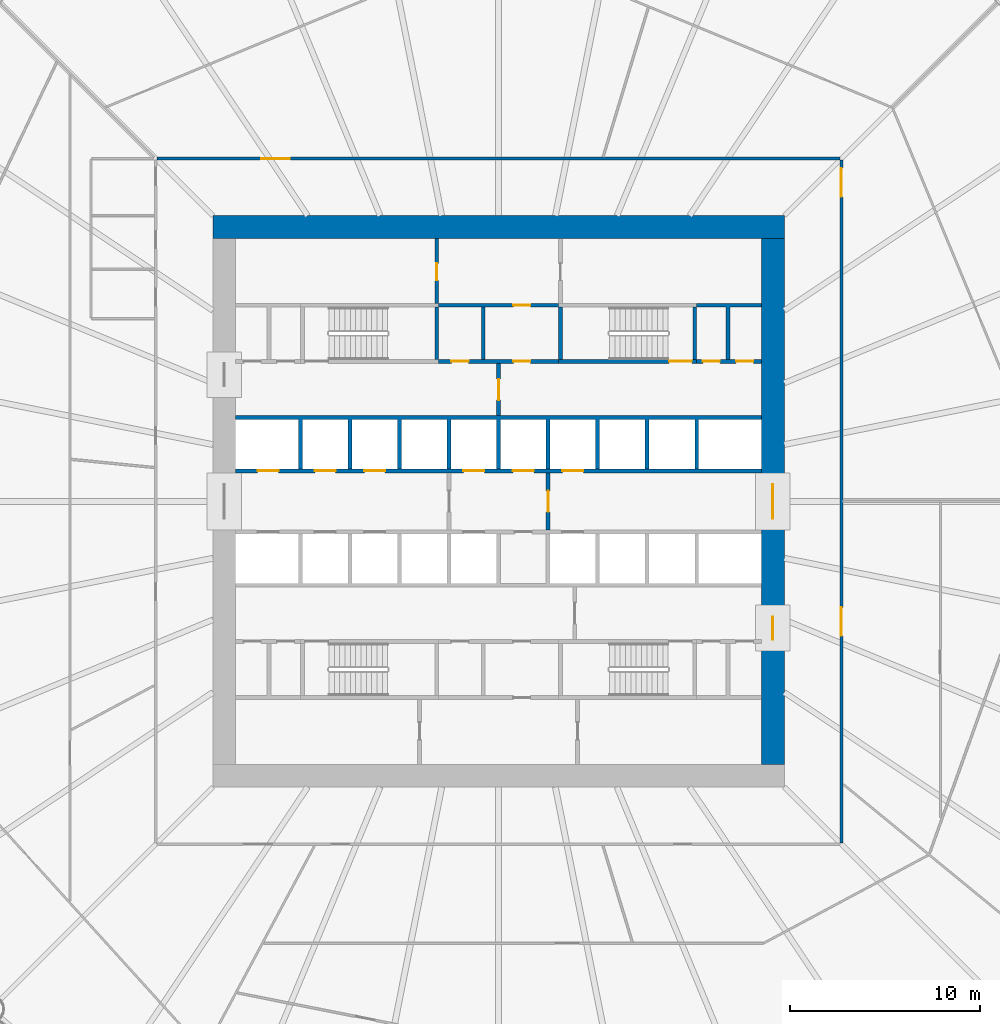
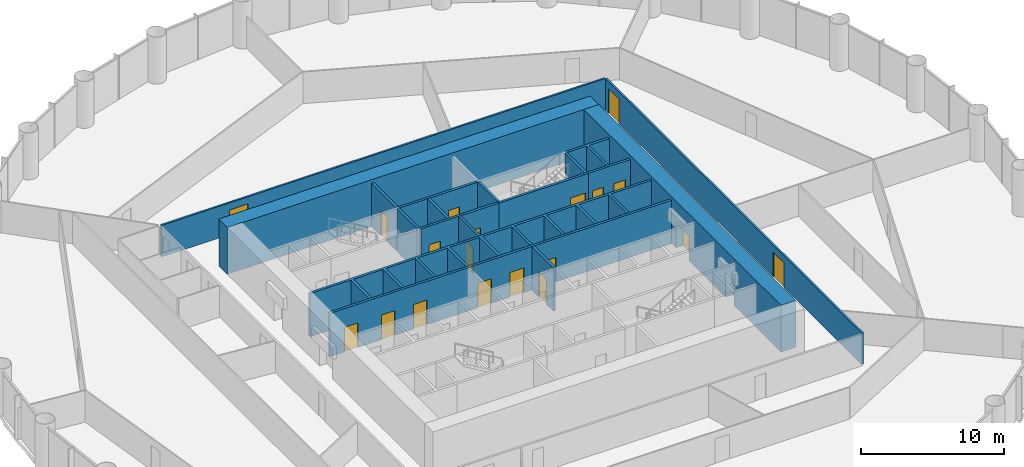
# One storey, part 13 of 15: 20 doors, 18 walls, 20 openings.
"""IFC4 building model written with IfcOpenShell, lengths in metres."""

import ifcopenshell
import ifcopenshell.guid

model = None  # the IFC model being written
_history = None  # IfcOwnerHistory: only IFC2X3 demands one
_inside = {}  # id of a spatial element -> (the spatial element, [elements in it])
_under = {}  # id of a project, library or spatial element -> (it, [spatial elements below it])
_declared = {}  # id of a project -> (the project, [libraries it declares])
_typed = {}  # id of a type object -> (the type object, [elements of that type])
_made_of = {}  # id of a material, layer set ... -> (it, [elements and type objects made of it])


def new_model(schema):
    """Start an empty IFC model of exactly this schema.

    Asked for "IFC4X3", IfcOpenShell would pick the latest addendum, in which some entities
    have other attributes; the version numbers below select the first issue.
    IFC2X3 requires an IfcOwnerHistory on every rooted entity: one is made here for all.
    """
    global model, _history
    if schema == "IFC4X3":
        model = ifcopenshell.file(schema_version=(4, 3, 0, 0))
    else:
        model = ifcopenshell.file(schema=schema)
    _inside.clear()
    _under.clear()
    _declared.clear()
    _typed.clear()
    _made_of.clear()
    _history = None
    if model.schema == "IFC2X3":
        org = make("IfcOrganization", Name="unknown")
        user = make(
            "IfcPersonAndOrganization",
            ThePerson=make("IfcPerson", FamilyName="unknown"),
            TheOrganization=org,
        )
        app = make(
            "IfcApplication",
            ApplicationDeveloper=org,
            Version="unknown",
            ApplicationFullName="unknown",
            ApplicationIdentifier="unknown",
        )
        _history = make(
            "IfcOwnerHistory",
            OwningUser=user,
            OwningApplication=app,
            ChangeAction="ADDED",
            CreationDate=0,
        )
    return model


def make(cls, **values):
    """One entity of the class cls with the attributes given. An attribute that is None is left unset."""
    return model.create_entity(
        cls, **{name: value for name, value in values.items() if value is not None}
    )


def rooted(cls, **values):
    """An entity with a GlobalId (a new one), such as an element, a storey or a relation."""
    return make(cls, GlobalId=ifcopenshell.guid.new(), OwnerHistory=_history, **values)


def si_unit(unit_type, name, prefix=None):
    """IfcSIUnit, for example si_unit("LENGTHUNIT", "METRE", prefix="MILLI")."""
    return make("IfcSIUnit", UnitType=unit_type, Prefix=prefix, Name=name)


def assignment(units):
    """IfcUnitAssignment: the units of a project."""
    return None if units is None else make("IfcUnitAssignment", Units=units)


def point(xyz):
    """IfcCartesianPoint."""
    return None if xyz is None else make("IfcCartesianPoint", Coordinates=xyz)


def direction(xyz):
    """IfcDirection."""
    return None if xyz is None else make("IfcDirection", DirectionRatios=xyz)


def frame(location, z_axis=None, x_axis=None):
    """IfcAxis2Placement3D, a coordinate frame: its origin and axes. An axis left out is left unset."""
    return make(
        "IfcAxis2Placement3D",
        Location=point(location),
        Axis=direction(z_axis),
        RefDirection=direction(x_axis),
    )


def frame_2d(location, x_axis=None):
    """IfcAxis2Placement2D, a coordinate frame in the plane: its origin and x axis."""
    return make(
        "IfcAxis2Placement2D", Location=point(location), RefDirection=direction(x_axis)
    )


def origin():
    """The frame at (0, 0, 0) with its axes left unset."""
    return frame((0.0, 0.0, 0.0))


def place(relative_to, where):
    """IfcLocalPlacement: puts the frame where relative to a parent placement (None: the world)."""
    return make(
        "IfcLocalPlacement", PlacementRelTo=relative_to, RelativePlacement=where
    )


def context(
    kind, dimensions, precision=None, world=None, true_north=None, identifier=None
):
    """IfcGeometricRepresentationContext, for example the 3D "Model" context."""
    return make(
        "IfcGeometricRepresentationContext",
        ContextIdentifier=identifier,
        ContextType=kind,
        CoordinateSpaceDimension=dimensions,
        Precision=precision,
        WorldCoordinateSystem=world,
        TrueNorth=true_north,
    )


def subcontext(parent, identifier, kind, view, scale=None):
    """IfcGeometricRepresentationSubContext, for example "Body" below "Model"."""
    return make(
        "IfcGeometricRepresentationSubContext",
        ContextIdentifier=identifier,
        ContextType=kind,
        ParentContext=parent,
        TargetScale=scale,
        TargetView=view,
    )


def project(units=None, contexts=None):
    """IfcProject with its units and contexts."""
    return rooted(
        "IfcProject",
        Name="project",
        RepresentationContexts=contexts,
        UnitsInContext=assignment(units),
    )


def spatial(cls, under=None, at=None, **own):
    """A site, building, storey or space (cls), placed at a placement, below another one or the project."""
    s = rooted(cls, ObjectPlacement=at, **own)
    if under is not None:
        _under.setdefault(under.id(), (under, []))[1].append(s)
    return s


def polyline(points):
    """IfcPolyline through the points."""
    return make("IfcPolyline", Points=[point(p) for p in points])


def profile(cls, at=None, kind="AREA", **sizes):
    """A parametric profile (cls). Its sizes go by their IFC names, for example OverallWidth=200.0."""
    return make(cls, ProfileType=kind, Position=at, **sizes)


def rectangle(**sizes):
    """IfcRectangleProfileDef."""
    return profile("IfcRectangleProfileDef", **sizes)


def outline(outer, holes=None, kind="AREA"):
    """IfcArbitraryClosedProfileDef: a profile drawn as a closed curve; with holes, ...WithVoids."""
    if holes is None:
        return make("IfcArbitraryClosedProfileDef", ProfileType=kind, OuterCurve=outer)
    return make(
        "IfcArbitraryProfileDefWithVoids",
        ProfileType=kind,
        OuterCurve=outer,
        InnerCurves=holes,
    )


def extrude(swept, where, along, depth):
    """IfcExtrudedAreaSolid: the profile swept, set in the frame where, extruded along a direction by depth."""
    return make(
        "IfcExtrudedAreaSolid",
        SweptArea=swept,
        Position=where,
        ExtrudedDirection=direction(along),
        Depth=depth,
    )


def shape(context_of_items, identifier, shape_type, items):
    """IfcShapeRepresentation: the items that make up one representation, for example the "Body"."""
    return make(
        "IfcShapeRepresentation",
        ContextOfItems=context_of_items,
        RepresentationIdentifier=identifier,
        RepresentationType=shape_type,
        Items=items,
    )


def material(Name=None, Category=None):
    """IfcMaterial."""
    return make("IfcMaterial", Name=Name, Category=Category)


def layer(
    of_material, thickness, ventilated=None, Name=None, Category=None, Priority=None
):
    """IfcMaterialLayer: one layer of a wall or slab, of a material (None: an air gap)."""
    return make(
        "IfcMaterialLayer",
        Material=of_material,
        LayerThickness=thickness,
        IsVentilated=ventilated,
        Name=Name,
        Category=Category,
        Priority=Priority,
    )


def layer_set(layers, Name=None):
    """IfcMaterialLayerSet."""
    return make("IfcMaterialLayerSet", MaterialLayers=layers, LayerSetName=Name)


def made_of(thing, what):
    """Note that an element or type object is made of a material, layer set ...; save() writes the relation."""
    if what is not None:
        _made_of.setdefault(what.id(), (what, []))[1].append(thing)
    return thing


def type_object(cls, material=None, **own):
    """A type object (cls), such as IfcWallType, which elements share."""
    return made_of(rooted(cls, **own), material)


def element(
    cls,
    number,
    at=None,
    inside=None,
    cuts=None,
    type_object=None,
    material=None,
    context=None,
    identifier="Body",
    shape_type=None,
    held_by="IfcProductDefinitionShape",
    body=None,
    shapes=None,
    **own,
):
    """One element of the class cls, such as IfcWall. Its Tag is "e" and its number.

    at: its placement. inside: the storey or other place that contains it. cuts: it is an
    opening in that element (IfcRelVoidsElement). A single representation is given by context,
    identifier, shape_type and body (its items); several are given by shapes. held_by: the class
    of the entity that holds the representations. save() writes the other relations.
    """
    e = rooted(cls, Tag="e%d" % number, ObjectPlacement=at, **own)
    if body is not None:
        shapes = [shape(context, identifier, shape_type, body)]
    if shapes is not None:
        e.Representation = make(held_by, Representations=shapes)
    if inside is not None:
        _inside.setdefault(inside.id(), (inside, []))[1].append(e)
    if cuts is not None:
        rooted(
            "IfcRelVoidsElement", RelatingBuildingElement=cuts, RelatedOpeningElement=e
        )
    if type_object is not None:
        _typed.setdefault(type_object.id(), (type_object, []))[1].append(e)
    return made_of(e, material)


def fill(opening, filler):
    """IfcRelFillsElement: the door or window that sits in an opening."""
    return rooted(
        "IfcRelFillsElement",
        RelatingOpeningElement=opening,
        RelatedBuildingElement=filler,
    )


def aggregate(whole, parts):
    """IfcRelAggregates: a whole, such as a stair, and the parts it consists of."""
    return rooted("IfcRelAggregates", RelatingObject=whole, RelatedObjects=parts)


def save(model, path):
    """Write the relations noted so far, then the file.

    IfcRelAggregates (storeys below a building ...), IfcRelContainedInSpatialStructure (elements
    in a storey), IfcRelDefinesByType, IfcRelAssociatesMaterial and IfcRelDeclares: one each for
    every whole, place, type object, material and project.
    """
    for whole, parts in _under.values():
        aggregate(whole, parts)
    for where, things in _inside.values():
        rooted(
            "IfcRelContainedInSpatialStructure",
            RelatedElements=things,
            RelatingStructure=where,
        )
    for kind, things in _typed.values():
        rooted("IfcRelDefinesByType", RelatedObjects=things, RelatingType=kind)
    for what, things in _made_of.values():
        rooted("IfcRelAssociatesMaterial", RelatedObjects=things, RelatingMaterial=what)
    for by, libraries in _declared.values():
        rooted("IfcRelDeclares", RelatingContext=by, RelatedDefinitions=libraries)
    model.write(path)


model = new_model("IFC4")

# Units and contexts
model_context = context("Model", 3, precision=1e-05, world=origin(), true_north=direction((0.0, 1.0)))
body_context = subcontext(model_context, "Body", "Model", "MODEL_VIEW")
ifc_project = project(units=[si_unit("LENGTHUNIT", "METRE"), si_unit("AREAUNIT", "SQUARE_METRE"), si_unit("VOLUMEUNIT", "CUBIC_METRE"), si_unit("PLANEANGLEUNIT", "RADIAN"), si_unit("MASSUNIT", "GRAM", prefix="KILO")], contexts=[model_context])

# Site, building, storey
site_placement = place(None, origin())
site = spatial("IfcSite", under=ifc_project, at=site_placement, CompositionType="ELEMENT")
building_placement = place(site_placement, origin())
building = spatial("IfcBuilding", under=site, at=building_placement, Name="Corvane Civic Tower", CompositionType="ELEMENT")
storey_placement = place(building_placement, frame((0.0, 0.0, 57.0)))
storey = spatial("IfcBuildingStorey", under=building, at=storey_placement, Name="L12", CompositionType="ELEMENT", Elevation=57.0)

# Wall
ifc_material_1 = material(Name="Concrete C80/95", Category="concrete")
ifc_layer_1 = layer(ifc_material_1, 1.199951171875)
ifc_layer_set_1 = layer_set([ifc_layer_1], Name="Concrete C80/95")
wall_type_1 = type_object("IfcWallType", Name="CORE WALL 1200 C80/95", PredefinedType="SHEAR", material=ifc_layer_set_1)
wall_1_placement = place(storey_placement, frame((-15.0, 14.39990234375, 0.0), z_axis=(0.0, 0.0, 1.0), x_axis=(1.0, 0.0, 0.0)))
element("IfcWall", 1, at=wall_1_placement, inside=storey, type_object=wall_type_1, Name="W-L12-core-N", PredefinedType="SHEAR", context=body_context, shape_type="SweptSolid", body=[
    extrude(rectangle(XDim=30.0, YDim=1.199951171875, at=frame_2d((15.0, 0.0))), origin(), (0.0, 0.0, 1.0), 4.0),
])

# Wall, openings, doors
wall_2_placement = place(storey_placement, frame((14.39990234375, -13.800048828125, 0.0), z_axis=(0.0, 0.0, 1.0), x_axis=(0.0, 1.0, 0.0)))
wall_2 = element("IfcWall", 2, at=wall_2_placement, inside=storey, type_object=wall_type_1, Name="W-L12-core-E", PredefinedType="SHEAR", context=body_context, shape_type="SweptSolid", body=[
    extrude(rectangle(XDim=27.60009765625, YDim=1.199951171875, at=frame_2d((13.800048828125, 0.0))), origin(), (0.0, 0.0, 1.0), 4.0),
])
opening_1_placement = place(wall_2_placement, frame((12.89990234375, 0.0, 0.0)))
opening_1 = element("IfcOpeningElement", 3, at=opening_1_placement, cuts=wall_2, Name="Opening L12.C29", PredefinedType="OPENING", context=body_context, shape_type="SweptSolid", body=[
    extrude(rectangle(XDim=1.800048828125, YDim=2.10009765625, at=frame_2d((0.89990234375, 1.050048828125))), frame((0.0, 0.60986328125, 0.0), z_axis=(0.0, -1.0, 0.0), x_axis=(1.0, 0.0, 0.0)), (0.0, 0.0, 1.0), 1.219970703125),
])
opening_2_placement = place(wall_2_placement, frame((6.550048828125, 0.0, 0.0)))
opening_2 = element("IfcOpeningElement", 4, at=opening_2_placement, cuts=wall_2, Name="Opening L12.C31", PredefinedType="OPENING", context=body_context, shape_type="SweptSolid", body=[
    extrude(rectangle(XDim=1.199951171875, YDim=2.10009765625, at=frame_2d((0.60009765625, 1.050048828125))), frame((0.0, 0.60986328125, 0.0), z_axis=(0.0, -1.0, 0.0), x_axis=(1.0, 0.0, 0.0)), (0.0, 0.0, 1.0), 1.219970703125),
])
ifc_material_2 = material(Name="Steel fire door leaf", Category="steel")
door_type_1 = type_object("IfcDoorType", Name="CR-DOOR-CORE-1800", OperationType="DOUBLE_DOOR_SINGLE_SWING", PredefinedType="DOOR", material=ifc_material_2)
door_1_placement = place(opening_1_placement, origin())
door_1 = element("IfcDoor", 5, at=door_1_placement, inside=storey, type_object=door_type_1, Name="L12 door", OperationType="DOUBLE_DOOR_SINGLE_SWING", OverallHeight=2.10009765625, OverallWidth=1.800048828125, PredefinedType="DOOR", context=body_context, shape_type="SweptSolid", body=[
    extrude(rectangle(XDim=1.800048828125, YDim=2.10009765625, at=frame_2d((0.89990234375, 1.050048828125))), frame((0.0, 0.02490234375, 0.0), z_axis=(0.0, -1.0, 0.0), x_axis=(1.0, 0.0, 0.0)), (0.0, 0.0, 1.0), 0.050048828125),
])
fill(opening_1, door_1)
door_2_placement = place(opening_2_placement, origin())
door_2 = element("IfcDoor", 6, at=door_2_placement, inside=storey, type_object=door_type_1, Name="L12 door", OperationType="DOUBLE_DOOR_SINGLE_SWING", OverallHeight=2.10009765625, OverallWidth=1.199951171875, PredefinedType="DOOR", context=body_context, shape_type="SweptSolid", body=[
    extrude(rectangle(XDim=1.199951171875, YDim=2.10009765625, at=frame_2d((0.60009765625, 1.050048828125))), frame((0.0, 0.02490234375, 0.0), z_axis=(0.0, -1.0, 0.0), x_axis=(1.0, 0.0, 0.0)), (0.0, 0.0, 1.0), 0.050048828125),
])
fill(opening_2, door_2)

ifc_material_3 = material(Name="Concrete C30/37", Category="concrete")
ifc_layer_2 = layer(ifc_material_3, 0.199951171875)
ifc_layer_set_2 = layer_set([ifc_layer_2], Name="Concrete C30/37")
wall_type_2 = type_object("IfcWallType", Name="CR-WALL-200", PredefinedType="PARTITIONING", material=ifc_layer_set_2)
wall_3_placement = place(storey_placement, frame((-13.800048828125, 1.60009765625, 0.0), z_axis=(0.0, 0.0, 1.0), x_axis=(1.0, 0.0, 0.0)))
wall_3 = element("IfcWall", 7, at=wall_3_placement, inside=storey, type_object=wall_type_2, Name="L12 lift shaft wall", PredefinedType="PARTITIONING", context=body_context, shape_type="SweptSolid", body=[
    extrude(rectangle(XDim=27.60009765625, YDim=0.199951171875, at=frame_2d((13.800048828125, 0.0))), origin(), (0.0, 0.0, 1.0), 3.699951171875),
])
opening_3_placement = place(wall_3_placement, frame((1.14990234375, 0.0, 0.0)))
opening_3 = element("IfcOpeningElement", 8, at=opening_3_placement, cuts=wall_3, Name="Opening LD", PredefinedType="OPENING", context=body_context, shape_type="SweptSolid", body=[
    extrude(rectangle(XDim=1.10009765625, YDim=2.10009765625, at=frame_2d((0.550048828125, 1.050048828125))), frame((0.0, 0.10986328125, 0.0), z_axis=(0.0, -1.0, 0.0), x_axis=(1.0, 0.0, 0.0)), (0.0, 0.0, 1.0), 0.219970703125),
])
opening_4_placement = place(wall_3_placement, frame((4.14990234375, 0.0, 0.0)))
opening_4 = element("IfcOpeningElement", 9, at=opening_4_placement, cuts=wall_3, Name="Opening LD", PredefinedType="OPENING", context=body_context, shape_type="SweptSolid", body=[
    extrude(rectangle(XDim=1.10009765625, YDim=2.10009765625, at=frame_2d((0.550048828125, 1.050048828125))), frame((0.0, 0.10986328125, 0.0), z_axis=(0.0, -1.0, 0.0), x_axis=(1.0, 0.0, 0.0)), (0.0, 0.0, 1.0), 0.219970703125),
])
opening_5_placement = place(wall_3_placement, frame((6.75, 0.0, 0.0)))
opening_5 = element("IfcOpeningElement", 10, at=opening_5_placement, cuts=wall_3, Name="Opening LD", PredefinedType="OPENING", context=body_context, shape_type="SweptSolid", body=[
    extrude(rectangle(XDim=1.10009765625, YDim=2.10009765625, at=frame_2d((0.550048828125, 1.050048828125))), frame((0.0, 0.10986328125, 0.0), z_axis=(0.0, -1.0, 0.0), x_axis=(1.0, 0.0, 0.0)), (0.0, 0.0, 1.0), 0.219970703125),
])
opening_6_placement = place(wall_3_placement, frame((11.949951171875, 0.0, 0.0)))
opening_6 = element("IfcOpeningElement", 11, at=opening_6_placement, cuts=wall_3, Name="Opening LD", PredefinedType="OPENING", context=body_context, shape_type="SweptSolid", body=[
    extrude(rectangle(XDim=1.10009765625, YDim=2.10009765625, at=frame_2d((0.550048828125, 1.050048828125))), frame((0.0, 0.10986328125, 0.0), z_axis=(0.0, -1.0, 0.0), x_axis=(1.0, 0.0, 0.0)), (0.0, 0.0, 1.0), 0.219970703125),
])
opening_7_placement = place(wall_3_placement, frame((14.550048828125, 0.0, 0.0)))
opening_7 = element("IfcOpeningElement", 12, at=opening_7_placement, cuts=wall_3, Name="Opening LD", PredefinedType="OPENING", context=body_context, shape_type="SweptSolid", body=[
    extrude(rectangle(XDim=1.10009765625, YDim=2.10009765625, at=frame_2d((0.550048828125, 1.050048828125))), frame((0.0, 0.10986328125, 0.0), z_axis=(0.0, -1.0, 0.0), x_axis=(1.0, 0.0, 0.0)), (0.0, 0.0, 1.0), 0.219970703125),
])
opening_8_placement = place(wall_3_placement, frame((17.14990234375, 0.0, 0.0)))
opening_8 = element("IfcOpeningElement", 13, at=opening_8_placement, cuts=wall_3, Name="Opening LD", PredefinedType="OPENING", context=body_context, shape_type="SweptSolid", body=[
    extrude(rectangle(XDim=1.10009765625, YDim=2.10009765625, at=frame_2d((0.550048828125, 1.050048828125))), frame((0.0, 0.10986328125, 0.0), z_axis=(0.0, -1.0, 0.0), x_axis=(1.0, 0.0, 0.0)), (0.0, 0.0, 1.0), 0.219970703125),
])
ifc_material_4 = material(Name="Stainless steel 316 door leaves", Category="steel")
door_type_2 = type_object("IfcDoorType", Name="LD", OperationType="DOUBLE_DOOR_SLIDING", PredefinedType="DOOR", material=ifc_material_4)
door_3_placement = place(opening_3_placement, origin())
door_3 = element("IfcDoor", 14, at=door_3_placement, inside=storey, type_object=door_type_2, Name="L12 landing door", OperationType="DOUBLE_DOOR_SLIDING", OverallHeight=2.10009765625, OverallWidth=1.10009765625, PredefinedType="DOOR", context=body_context, shape_type="SweptSolid", body=[
    extrude(rectangle(XDim=1.10009765625, YDim=2.10009765625, at=frame_2d((0.550048828125, 1.050048828125))), frame((0.0, 0.02490234375, 0.0), z_axis=(0.0, -1.0, 0.0), x_axis=(1.0, 0.0, 0.0)), (0.0, 0.0, 1.0), 0.050048828125),
])
fill(opening_3, door_3)
door_4_placement = place(opening_4_placement, origin())
door_4 = element("IfcDoor", 15, at=door_4_placement, inside=storey, type_object=door_type_2, Name="L12 landing door", OperationType="DOUBLE_DOOR_SLIDING", OverallHeight=2.10009765625, OverallWidth=1.10009765625, PredefinedType="DOOR", context=body_context, shape_type="SweptSolid", body=[
    extrude(rectangle(XDim=1.10009765625, YDim=2.10009765625, at=frame_2d((0.550048828125, 1.050048828125))), frame((0.0, 0.02490234375, 0.0), z_axis=(0.0, -1.0, 0.0), x_axis=(1.0, 0.0, 0.0)), (0.0, 0.0, 1.0), 0.050048828125),
])
fill(opening_4, door_4)
door_5_placement = place(opening_5_placement, origin())
door_5 = element("IfcDoor", 16, at=door_5_placement, inside=storey, type_object=door_type_2, Name="L12 landing door", OperationType="DOUBLE_DOOR_SLIDING", OverallHeight=2.10009765625, OverallWidth=1.10009765625, PredefinedType="DOOR", context=body_context, shape_type="SweptSolid", body=[
    extrude(rectangle(XDim=1.10009765625, YDim=2.10009765625, at=frame_2d((0.550048828125, 1.050048828125))), frame((0.0, 0.02490234375, 0.0), z_axis=(0.0, -1.0, 0.0), x_axis=(1.0, 0.0, 0.0)), (0.0, 0.0, 1.0), 0.050048828125),
])
fill(opening_5, door_5)
door_6_placement = place(opening_6_placement, origin())
door_6 = element("IfcDoor", 17, at=door_6_placement, inside=storey, type_object=door_type_2, Name="L12 landing door", OperationType="DOUBLE_DOOR_SLIDING", OverallHeight=2.10009765625, OverallWidth=1.10009765625, PredefinedType="DOOR", context=body_context, shape_type="SweptSolid", body=[
    extrude(rectangle(XDim=1.10009765625, YDim=2.10009765625, at=frame_2d((0.550048828125, 1.050048828125))), frame((0.0, 0.02490234375, 0.0), z_axis=(0.0, -1.0, 0.0), x_axis=(1.0, 0.0, 0.0)), (0.0, 0.0, 1.0), 0.050048828125),
])
fill(opening_6, door_6)
door_7_placement = place(opening_7_placement, origin())
door_7 = element("IfcDoor", 18, at=door_7_placement, inside=storey, type_object=door_type_2, Name="L12 landing door", OperationType="DOUBLE_DOOR_SLIDING", OverallHeight=2.10009765625, OverallWidth=1.10009765625, PredefinedType="DOOR", context=body_context, shape_type="SweptSolid", body=[
    extrude(rectangle(XDim=1.10009765625, YDim=2.10009765625, at=frame_2d((0.550048828125, 1.050048828125))), frame((0.0, 0.02490234375, 0.0), z_axis=(0.0, -1.0, 0.0), x_axis=(1.0, 0.0, 0.0)), (0.0, 0.0, 1.0), 0.050048828125),
])
fill(opening_7, door_7)
door_8_placement = place(opening_8_placement, origin())
door_8 = element("IfcDoor", 19, at=door_8_placement, inside=storey, type_object=door_type_2, Name="L12 landing door", OperationType="DOUBLE_DOOR_SLIDING", OverallHeight=2.10009765625, OverallWidth=1.10009765625, PredefinedType="DOOR", context=body_context, shape_type="SweptSolid", body=[
    extrude(rectangle(XDim=1.10009765625, YDim=2.10009765625, at=frame_2d((0.550048828125, 1.050048828125))), frame((0.0, 0.02490234375, 0.0), z_axis=(0.0, -1.0, 0.0), x_axis=(1.0, 0.0, 0.0)), (0.0, 0.0, 1.0), 0.050048828125),
])
fill(opening_8, door_8)

wall_4_placement = place(storey_placement, frame((-3.14990234375, 7.35009765625, 0.0), z_axis=(0.0, 0.0, 1.0), x_axis=(1.0, 0.0, 0.0)))
wall_4 = element("IfcWall", 20, at=wall_4_placement, inside=storey, type_object=wall_type_2, Name="L12 partition wall", PredefinedType="PARTITIONING", context=body_context, shape_type="SweptSolid", body=[
    extrude(rectangle(XDim=6.2998046875, YDim=0.199951171875, at=frame_2d((3.14990234375, 0.0))), origin(), (0.0, 0.0, 1.0), 3.699951171875),
])
opening_9_placement = place(wall_4_placement, frame((0.675048828125, 0.0, 0.0)))
opening_9 = element("IfcOpeningElement", 21, at=opening_9_placement, cuts=wall_4, Name="Opening L12.C02", PredefinedType="OPENING", context=body_context, shape_type="SweptSolid", body=[
    extrude(rectangle(XDim=0.89990234375, YDim=2.10009765625, at=frame_2d((0.449951171875, 1.050048828125))), frame((0.0, 0.10986328125, 0.0), z_axis=(0.0, -1.0, 0.0), x_axis=(1.0, 0.0, 0.0)), (0.0, 0.0, 1.0), 0.219970703125),
])
opening_10_placement = place(wall_4_placement, frame((3.925048828125, 0.0, 0.0)))
opening_10 = element("IfcOpeningElement", 22, at=opening_10_placement, cuts=wall_4, Name="Opening L12.C03", PredefinedType="OPENING", context=body_context, shape_type="SweptSolid", body=[
    extrude(rectangle(XDim=0.89990234375, YDim=2.10009765625, at=frame_2d((0.449951171875, 1.050048828125))), frame((0.0, 0.10986328125, 0.0), z_axis=(0.0, -1.0, 0.0), x_axis=(1.0, 0.0, 0.0)), (0.0, 0.0, 1.0), 0.219970703125),
])
ifc_material_5 = material(Name="Steel fire door leaf", Category="steel")
door_type_3 = type_object("IfcDoorType", Name="CR-DOOR-900", OperationType="SINGLE_SWING_LEFT", PredefinedType="DOOR", material=ifc_material_5)
door_9_placement = place(opening_9_placement, origin())
door_9 = element("IfcDoor", 23, at=door_9_placement, inside=storey, type_object=door_type_3, Name="L12 door", OperationType="SINGLE_SWING_LEFT", OverallHeight=2.10009765625, OverallWidth=0.89990234375, PredefinedType="DOOR", context=body_context, shape_type="SweptSolid", body=[
    extrude(rectangle(XDim=0.89990234375, YDim=2.10009765625, at=frame_2d((0.449951171875, 1.050048828125))), frame((0.0, 0.02490234375, 0.0), z_axis=(0.0, -1.0, 0.0), x_axis=(1.0, 0.0, 0.0)), (0.0, 0.0, 1.0), 0.050048828125),
])
fill(opening_9, door_9)
door_10_placement = place(opening_10_placement, origin())
door_10 = element("IfcDoor", 24, at=door_10_placement, inside=storey, type_object=door_type_3, Name="L12 door", OperationType="SINGLE_SWING_LEFT", OverallHeight=2.10009765625, OverallWidth=0.89990234375, PredefinedType="DOOR", context=body_context, shape_type="SweptSolid", body=[
    extrude(rectangle(XDim=0.89990234375, YDim=2.10009765625, at=frame_2d((0.449951171875, 1.050048828125))), frame((0.0, 0.02490234375, 0.0), z_axis=(0.0, -1.0, 0.0), x_axis=(1.0, 0.0, 0.0)), (0.0, 0.0, 1.0), 0.050048828125),
])
fill(opening_10, door_10)

wall_5_placement = place(storey_placement, frame((10.39990234375, 7.35009765625, 0.0), z_axis=(0.0, 0.0, 1.0), x_axis=(1.0, 0.0, 0.0)))
wall_5 = element("IfcWall", 25, at=wall_5_placement, inside=storey, type_object=wall_type_2, Name="L12 core partition wall", PredefinedType="PARTITIONING", context=body_context, shape_type="SweptSolid", body=[
    extrude(rectangle(XDim=3.400146484375, YDim=0.199951171875, at=frame_2d((1.7001953125, 0.0))), origin(), (0.0, 0.0, 1.0), 3.699951171875),
])
opening_11_placement = place(wall_5_placement, frame((0.324951171875, 0.0, 0.0)))
opening_11 = element("IfcOpeningElement", 26, at=opening_11_placement, cuts=wall_5, Name="Opening L12.C16", PredefinedType="OPENING", context=body_context, shape_type="SweptSolid", body=[
    extrude(rectangle(XDim=0.89990234375, YDim=2.10009765625, at=frame_2d((0.449951171875, 1.050048828125))), frame((0.0, 0.10986328125, 0.0), z_axis=(0.0, -1.0, 0.0), x_axis=(1.0, 0.0, 0.0)), (0.0, 0.0, 1.0), 0.219970703125),
])
opening_12_placement = place(wall_5_placement, frame((2.074951171875, 0.0, 0.0)))
opening_12 = element("IfcOpeningElement", 27, at=opening_12_placement, cuts=wall_5, Name="Opening L12.C17", PredefinedType="OPENING", context=body_context, shape_type="SweptSolid", body=[
    extrude(rectangle(XDim=0.89990234375, YDim=2.10009765625, at=frame_2d((0.449951171875, 1.050048828125))), frame((0.0, 0.10986328125, 0.0), z_axis=(0.0, -1.0, 0.0), x_axis=(1.0, 0.0, 0.0)), (0.0, 0.0, 1.0), 0.219970703125),
])
door_11_placement = place(opening_11_placement, origin())
door_11 = element("IfcDoor", 28, at=door_11_placement, inside=storey, type_object=door_type_3, Name="L12 door", OperationType="SINGLE_SWING_LEFT", OverallHeight=2.10009765625, OverallWidth=0.89990234375, PredefinedType="DOOR", context=body_context, shape_type="SweptSolid", body=[
    extrude(rectangle(XDim=0.89990234375, YDim=2.10009765625, at=frame_2d((0.449951171875, 1.050048828125))), frame((0.0, 0.02490234375, 0.0), z_axis=(0.0, -1.0, 0.0), x_axis=(1.0, 0.0, 0.0)), (0.0, 0.0, 1.0), 0.050048828125),
])
fill(opening_11, door_11)
door_12_placement = place(opening_12_placement, origin())
door_12 = element("IfcDoor", 29, at=door_12_placement, inside=storey, type_object=door_type_3, Name="L12 door", OperationType="SINGLE_SWING_LEFT", OverallHeight=2.10009765625, OverallWidth=0.89990234375, PredefinedType="DOOR", context=body_context, shape_type="SweptSolid", body=[
    extrude(rectangle(XDim=0.89990234375, YDim=2.10009765625, at=frame_2d((0.449951171875, 1.050048828125))), frame((0.0, 0.02490234375, 0.0), z_axis=(0.0, -1.0, 0.0), x_axis=(1.0, 0.0, 0.0)), (0.0, 0.0, 1.0), 0.050048828125),
])
fill(opening_12, door_12)

# Wall, opening, door
wall_6_placement = place(storey_placement, frame((-3.14990234375, 10.300048828125, 0.0), z_axis=(0.0, 0.0, 1.0), x_axis=(1.0, 0.0, 0.0)))
wall_6 = element("IfcWall", 30, at=wall_6_placement, inside=storey, type_object=wall_type_2, Name="L12 partition wall", PredefinedType="PARTITIONING", context=body_context, shape_type="SweptSolid", body=[
    extrude(rectangle(XDim=6.2998046875, YDim=0.199951171875, at=frame_2d((3.14990234375, 0.0))), origin(), (0.0, 0.0, 1.0), 3.699951171875),
])
opening_13_placement = place(wall_6_placement, frame((3.925048828125, 0.0, 0.0)))
opening_13 = element("IfcOpeningElement", 31, at=opening_13_placement, cuts=wall_6, Name="Opening L12.C07", PredefinedType="OPENING", context=body_context, shape_type="SweptSolid", body=[
    extrude(rectangle(XDim=0.89990234375, YDim=2.10009765625, at=frame_2d((0.449951171875, 1.050048828125))), frame((0.0, 0.10986328125, 0.0), z_axis=(0.0, -1.0, 0.0), x_axis=(1.0, 0.0, 0.0)), (0.0, 0.0, 1.0), 0.219970703125),
])
door_13_placement = place(opening_13_placement, origin())
door_13 = element("IfcDoor", 32, at=door_13_placement, inside=storey, type_object=door_type_3, Name="L12 door", OperationType="SINGLE_SWING_LEFT", OverallHeight=2.10009765625, OverallWidth=0.89990234375, PredefinedType="DOOR", context=body_context, shape_type="SweptSolid", body=[
    extrude(rectangle(XDim=0.89990234375, YDim=2.10009765625, at=frame_2d((0.449951171875, 1.050048828125))), frame((0.0, 0.02490234375, 0.0), z_axis=(0.0, -1.0, 0.0), x_axis=(1.0, 0.0, 0.0)), (0.0, 0.0, 1.0), 0.050048828125),
])
fill(opening_13, door_13)

wall_7_placement = place(storey_placement, frame((-3.25, 10.39990234375, 0.0), z_axis=(0.0, 0.0, 1.0), x_axis=(0.0, 1.0, 0.0)))
wall_7 = element("IfcWall", 33, at=wall_7_placement, inside=storey, type_object=wall_type_2, Name="L12 partition wall", PredefinedType="PARTITIONING", context=body_context, shape_type="SweptSolid", body=[
    extrude(rectangle(XDim=3.400146484375, YDim=0.199951171875, at=frame_2d((1.7001953125, 0.0))), origin(), (0.0, 0.0, 1.0), 3.699951171875),
])
opening_14_placement = place(wall_7_placement, frame((1.199951171875, 0.0, 0.0)))
opening_14 = element("IfcOpeningElement", 34, at=opening_14_placement, cuts=wall_7, Name="Opening L12.C06", PredefinedType="OPENING", context=body_context, shape_type="SweptSolid", body=[
    extrude(rectangle(XDim=0.89990234375, YDim=2.10009765625, at=frame_2d((0.449951171875, 1.050048828125))), frame((0.0, 0.10986328125, 0.0), z_axis=(0.0, -1.0, 0.0), x_axis=(1.0, 0.0, 0.0)), (0.0, 0.0, 1.0), 0.219970703125),
])
door_14_placement = place(opening_14_placement, origin())
door_14 = element("IfcDoor", 35, at=door_14_placement, inside=storey, type_object=door_type_3, Name="L12 door", OperationType="SINGLE_SWING_LEFT", OverallHeight=2.10009765625, OverallWidth=0.89990234375, PredefinedType="DOOR", context=body_context, shape_type="SweptSolid", body=[
    extrude(rectangle(XDim=0.89990234375, YDim=2.10009765625, at=frame_2d((0.449951171875, 1.050048828125))), frame((0.0, 0.02490234375, 0.0), z_axis=(0.0, -1.0, 0.0), x_axis=(1.0, 0.0, 0.0)), (0.0, 0.0, 1.0), 0.050048828125),
])
fill(opening_14, door_14)

wall_8_placement = place(storey_placement, frame((0.0, 4.5, 0.0), z_axis=(0.0, 0.0, 1.0), x_axis=(0.0, 1.0, 0.0)))
wall_8 = element("IfcWall", 36, at=wall_8_placement, inside=storey, type_object=wall_type_2, Name="L12 core partition wall", PredefinedType="PARTITIONING", context=body_context, shape_type="SweptSolid", body=[
    extrude(rectangle(XDim=2.75, YDim=0.199951171875, at=frame_2d((1.375, 0.0))), origin(), (0.0, 0.0, 1.0), 3.699951171875),
])
opening_15_placement = place(wall_8_placement, frame((0.824951171875, 0.0, 0.0)))
opening_15 = element("IfcOpeningElement", 37, at=opening_15_placement, cuts=wall_8, Name="Opening L12.C26", PredefinedType="OPENING", context=body_context, shape_type="SweptSolid", body=[
    extrude(rectangle(XDim=1.10009765625, YDim=2.10009765625, at=frame_2d((0.550048828125, 1.050048828125))), frame((0.0, 0.10986328125, 0.0), z_axis=(0.0, -1.0, 0.0), x_axis=(1.0, 0.0, 0.0)), (0.0, 0.0, 1.0), 0.219970703125),
])
ifc_material_6 = material(Name="Steel fire door leaf", Category="steel")
door_type_4 = type_object("IfcDoorType", Name="CR-DOOR-FFL-1100", OperationType="SINGLE_SWING_LEFT", PredefinedType="DOOR", material=ifc_material_6)
door_15_placement = place(opening_15_placement, origin())
door_15 = element("IfcDoor", 38, at=door_15_placement, inside=storey, type_object=door_type_4, Name="L12 lobby door", OperationType="SINGLE_SWING_LEFT", OverallHeight=2.10009765625, OverallWidth=1.10009765625, PredefinedType="DOOR", context=body_context, shape_type="SweptSolid", body=[
    extrude(rectangle(XDim=1.10009765625, YDim=2.10009765625, at=frame_2d((0.550048828125, 1.050048828125))), frame((0.0, 0.02490234375, 0.0), z_axis=(0.0, -1.0, 0.0), x_axis=(1.0, 0.0, 0.0)), (0.0, 0.0, 1.0), 0.050048828125),
])
fill(opening_15, door_15)

wall_9_placement = place(storey_placement, frame((2.60009765625, -1.5, 0.0), z_axis=(0.0, 0.0, 1.0), x_axis=(0.0, 1.0, 0.0)))
wall_9 = element("IfcWall", 39, at=wall_9_placement, inside=storey, type_object=wall_type_2, Name="L12 firefighting lobby wall", PredefinedType="PARTITIONING", context=body_context, shape_type="SweptSolid", body=[
    extrude(rectangle(XDim=3.0, YDim=0.199951171875, at=frame_2d((1.5, 0.0))), origin(), (0.0, 0.0, 1.0), 3.699951171875),
])
opening_16_placement = place(wall_9_placement, frame((0.949951171875, 0.0, 0.0)))
opening_16 = element("IfcOpeningElement", 40, at=opening_16_placement, cuts=wall_9, Name="Opening L12.C25", PredefinedType="OPENING", context=body_context, shape_type="SweptSolid", body=[
    extrude(rectangle(XDim=1.10009765625, YDim=2.10009765625, at=frame_2d((0.550048828125, 1.050048828125))), frame((0.0, 0.10986328125, 0.0), z_axis=(0.0, -1.0, 0.0), x_axis=(1.0, 0.0, 0.0)), (0.0, 0.0, 1.0), 0.219970703125),
])
door_16_placement = place(opening_16_placement, origin())
door_16 = element("IfcDoor", 41, at=door_16_placement, inside=storey, type_object=door_type_4, Name="L12 lobby door", OperationType="SINGLE_SWING_LEFT", OverallHeight=2.10009765625, OverallWidth=1.10009765625, PredefinedType="DOOR", context=body_context, shape_type="SweptSolid", body=[
    extrude(rectangle(XDim=1.10009765625, YDim=2.10009765625, at=frame_2d((0.550048828125, 1.050048828125))), frame((0.0, 0.02490234375, 0.0), z_axis=(0.0, -1.0, 0.0), x_axis=(1.0, 0.0, 0.0)), (0.0, 0.0, 1.0), 0.050048828125),
])
fill(opening_16, door_16)

# Walls
wall_10_placement = place(storey_placement, origin())
element("IfcWall", 42, at=wall_10_placement, inside=storey, type_object=wall_type_2, Name="L12 core partition wall", PredefinedType="PARTITIONING", context=body_context, shape_type="SweptSolid", body=[
    extrude(outline(polyline([(-0.699951171875, 7.449951171875), (-0.89990234375, 7.449951171875), (-0.89990234375, 10.199951171875), (-0.699951171875, 10.199951171875), (-0.699951171875, 7.449951171875)])), origin(), (0.0, 0.0, 1.0), 3.699951171875),
])
wall_11_placement = place(storey_placement, origin())
element("IfcWall", 43, at=wall_11_placement, inside=storey, type_object=wall_type_2, Name="L12 core partition wall", PredefinedType="PARTITIONING", context=body_context, shape_type="SweptSolid", body=[
    extrude(outline(polyline([(-10.300048828125, 1.699951171875), (-10.5, 1.699951171875), (-10.5, 4.300048828125), (-13.800048828125, 4.300048828125), (-13.800048828125, 4.5), (13.800048828125, 4.5), (13.800048828125, 4.300048828125), (10.5, 4.300048828125), (10.5, 1.699951171875), (10.300048828125, 1.699951171875), (10.300048828125, 4.300048828125), (7.89990234375, 4.300048828125), (7.89990234375, 1.699951171875), (7.699951171875, 1.699951171875), (7.699951171875, 4.300048828125), (5.300048828125, 4.300048828125), (5.300048828125, 1.699951171875), (5.10009765625, 1.699951171875), (5.10009765625, 4.300048828125), (2.699951171875, 4.300048828125), (2.699951171875, 1.699951171875), (2.5, 1.699951171875), (2.5, 4.300048828125), (0.10009765625, 4.300048828125), (0.10009765625, 1.699951171875), (-0.10009765625, 1.699951171875), (-0.10009765625, 4.300048828125), (-2.5, 4.300048828125), (-2.5, 1.699951171875), (-2.699951171875, 1.699951171875), (-2.699951171875, 4.300048828125), (-5.10009765625, 4.300048828125), (-5.10009765625, 1.699951171875), (-5.300048828125, 1.699951171875), (-5.300048828125, 4.300048828125), (-7.699951171875, 4.300048828125), (-7.699951171875, 1.699951171875), (-7.89990234375, 1.699951171875), (-7.89990234375, 4.300048828125), (-10.300048828125, 4.300048828125), (-10.300048828125, 1.699951171875)])), origin(), (0.0, 0.0, 1.0), 3.699951171875),
])
wall_12_placement = place(storey_placement, origin())
element("IfcWall", 44, at=wall_12_placement, inside=storey, type_object=wall_type_2, Name="L12 core partition wall", PredefinedType="PARTITIONING", context=body_context, shape_type="SweptSolid", body=[
    extrude(outline(polyline([(13.800048828125, 10.39990234375), (13.800048828125, 10.199951171875), (12.14990234375, 10.199951171875), (12.14990234375, 7.449951171875), (11.949951171875, 7.449951171875), (11.949951171875, 10.199951171875), (10.39990234375, 10.199951171875), (10.39990234375, 10.39990234375), (13.800048828125, 10.39990234375)])), origin(), (0.0, 0.0, 1.0), 3.699951171875),
])

# Wall, opening, door
ifc_material_7 = material(Name="Concrete C50/60", Category="concrete")
ifc_layer_3 = layer(ifc_material_7, 0.199951171875)
ifc_layer_set_3 = layer_set([ifc_layer_3], Name="Concrete C50/60")
wall_type_3 = type_object("IfcWallType", Name="ST-WALL-200", PredefinedType="SHEAR", material=ifc_layer_set_3)
wall_13_placement = place(storey_placement, frame((3.14990234375, 7.35009765625, 0.0), z_axis=(0.0, 0.0, 1.0), x_axis=(1.0, 0.0, 0.0)))
wall_13 = element("IfcWall", 45, at=wall_13_placement, inside=storey, type_object=wall_type_3, Name="L12 stair enclosure wall", PredefinedType="SHEAR", context=body_context, shape_type="SweptSolid", body=[
    extrude(rectangle(XDim=7.25, YDim=0.199951171875, at=frame_2d((3.625, 0.0))), origin(), (0.0, 0.0, 1.0), 3.699951171875),
])
opening_17_placement = place(wall_13_placement, frame((5.800048828125, 0.0, 0.0)))
opening_17 = element("IfcOpeningElement", 46, at=opening_17_placement, cuts=wall_13, Name="Opening L12.C20", PredefinedType="OPENING", context=body_context, shape_type="SweptSolid", body=[
    extrude(rectangle(XDim=1.199951171875, YDim=2.10009765625, at=frame_2d((0.60009765625, 1.050048828125))), frame((0.0, 0.10986328125, 0.0), z_axis=(0.0, -1.0, 0.0), x_axis=(1.0, 0.0, 0.0)), (0.0, 0.0, 1.0), 0.219970703125),
])
ifc_material_8 = material(Name="Steel fire door leaf", Category="steel")
door_type_5 = type_object("IfcDoorType", Name="ST-DOOR-1200", OperationType="SINGLE_SWING_RIGHT", PredefinedType="DOOR", material=ifc_material_8)
door_17_placement = place(opening_17_placement, origin())
door_17 = element("IfcDoor", 47, at=door_17_placement, inside=storey, type_object=door_type_5, Name="L12 stair door", OperationType="SINGLE_SWING_RIGHT", OverallHeight=2.10009765625, OverallWidth=1.199951171875, PredefinedType="DOOR", context=body_context, shape_type="SweptSolid", body=[
    extrude(rectangle(XDim=1.199951171875, YDim=2.10009765625, at=frame_2d((0.60009765625, 1.050048828125))), frame((0.0, 0.02490234375, 0.0), z_axis=(0.0, -1.0, 0.0), x_axis=(1.0, 0.0, 0.0)), (0.0, 0.0, 1.0), 0.050048828125),
])
fill(opening_17, door_17)

# Walls
wall_14_placement = place(storey_placement, origin())
element("IfcWall", 48, at=wall_14_placement, inside=storey, type_object=wall_type_3, Name="L12 stair enclosure wall", PredefinedType="SHEAR", context=body_context, shape_type="SweptSolid", body=[
    extrude(outline(polyline([(-3.14990234375, 7.449951171875), (-3.35009765625, 7.449951171875), (-3.35009765625, 10.199951171875), (-3.14990234375, 10.199951171875), (-3.14990234375, 7.449951171875)])), origin(), (0.0, 0.0, 1.0), 3.699951171875),
])
wall_15_placement = place(storey_placement, origin())
element("IfcWall", 49, at=wall_15_placement, inside=storey, type_object=wall_type_3, Name="L12 stair enclosure wall", PredefinedType="SHEAR", context=body_context, shape_type="SweptSolid", body=[
    extrude(outline(polyline([(3.35009765625, 7.449951171875), (3.14990234375, 7.449951171875), (3.14990234375, 10.199951171875), (3.35009765625, 10.199951171875), (3.35009765625, 7.449951171875)])), origin(), (0.0, 0.0, 1.0), 3.699951171875),
])
wall_16_placement = place(storey_placement, origin())
element("IfcWall", 50, at=wall_16_placement, inside=storey, type_object=wall_type_3, Name="L12 stair enclosure wall", PredefinedType="SHEAR", context=body_context, shape_type="SweptSolid", body=[
    extrude(outline(polyline([(10.39990234375, 7.449951171875), (10.199951171875, 7.449951171875), (10.199951171875, 10.199951171875), (10.39990234375, 10.199951171875), (10.39990234375, 7.449951171875)])), origin(), (0.0, 0.0, 1.0), 3.699951171875),
])

# Wall, openings, doors
ifc_material_9 = material(Name="Plasterboard")
ifc_layer_4 = layer(ifc_material_9, 0.14990234375)
ifc_layer_set_4 = layer_set([ifc_layer_4], Name="Plasterboard")
wall_type_4 = type_object("IfcWallType", Name="Tenancy wall 150 EI 60", PredefinedType="PARTITIONING", material=ifc_layer_set_4)
wall_17_placement = place(storey_placement, frame((18.0, -17.925048828125, 0.0), z_axis=(0.0, 0.0, 1.0), x_axis=(0.0, 1.0, 0.0)))
wall_17 = element("IfcWall", 51, at=wall_17_placement, inside=storey, type_object=wall_type_4, Name="Partition L12.014", PredefinedType="PARTITIONING", context=body_context, shape_type="SweptSolid", body=[
    extrude(rectangle(XDim=35.85009765625, YDim=0.14990234375, at=frame_2d((17.925048828125, 0.0))), origin(), (0.0, 0.0, 1.0), 2.699951171875),
])
opening_18_placement = place(wall_17_placement, frame((10.866455078125, 0.0, 0.0)))
opening_18 = element("IfcOpeningElement", 52, at=opening_18_placement, cuts=wall_17, Name="Opening L12.005", PredefinedType="OPENING", context=body_context, shape_type="SweptSolid", body=[
    extrude(rectangle(XDim=1.5, YDim=2.10009765625, at=frame_2d((0.75, 1.050048828125))), frame((0.0, 0.0849609375, 0.0), z_axis=(0.0, -1.0, 0.0), x_axis=(1.0, 0.0, 0.0)), (0.0, 0.0, 1.0), 0.169921875),
])
opening_19_placement = place(wall_17_placement, frame((33.91845703125, 0.0, 0.0)))
opening_19 = element("IfcOpeningElement", 53, at=opening_19_placement, cuts=wall_17, Name="Opening L12.022", PredefinedType="OPENING", context=body_context, shape_type="SweptSolid", body=[
    extrude(rectangle(XDim=1.5, YDim=2.10009765625, at=frame_2d((0.75, 1.050048828125))), frame((0.0, 0.0849609375, 0.0), z_axis=(0.0, -1.0, 0.0), x_axis=(1.0, 0.0, 0.0)), (0.0, 0.0, 1.0), 0.169921875),
])
ifc_material_10 = material(Name="Steel and timber", Category="steel")
door_type_6 = type_object("IfcDoorType", Name="Fire door FD60 double 1500", OperationType="NOTDEFINED", PredefinedType="DOOR", material=ifc_material_10)
door_18_placement = place(opening_18_placement, frame((1.5, 0.0, 0.0), z_axis=(0.0, 0.0, 1.0), x_axis=(-1.0, 0.0, 0.0)))
door_18 = element("IfcDoor", 54, at=door_18_placement, inside=storey, type_object=door_type_6, Name="Door L12.005", OperationType="DOUBLE_DOOR_SINGLE_SWING", OverallHeight=2.10009765625, OverallWidth=1.5, PredefinedType="DOOR", context=body_context, shape_type="SweptSolid", body=[
    extrude(rectangle(XDim=1.5, YDim=2.10009765625, at=frame_2d((0.75, 1.050048828125))), frame((0.0, 0.02490234375, 0.0), z_axis=(0.0, -1.0, 0.0), x_axis=(1.0, 0.0, 0.0)), (0.0, 0.0, 1.0), 0.050048828125),
])
fill(opening_18, door_18)
door_19_placement = place(opening_19_placement, frame((1.5, 0.0, 0.0), z_axis=(0.0, 0.0, 1.0), x_axis=(-1.0, 0.0, 0.0)))
door_19 = element("IfcDoor", 55, at=door_19_placement, inside=storey, type_object=door_type_6, Name="Door L12.022", OperationType="DOUBLE_DOOR_SINGLE_SWING", OverallHeight=2.10009765625, OverallWidth=1.5, PredefinedType="DOOR", context=body_context, shape_type="SweptSolid", body=[
    extrude(rectangle(XDim=1.5, YDim=2.10009765625, at=frame_2d((0.75, 1.050048828125))), frame((0.0, 0.02490234375, 0.0), z_axis=(0.0, -1.0, 0.0), x_axis=(1.0, 0.0, 0.0)), (0.0, 0.0, 1.0), 0.050048828125),
])
fill(opening_19, door_19)

# Wall, opening, door
wall_18_placement = place(storey_placement, frame((-17.925048828125, 18.0, 0.0), z_axis=(0.0, 0.0, 1.0), x_axis=(1.0, 0.0, 0.0)))
wall_18 = element("IfcWall", 56, at=wall_18_placement, inside=storey, type_object=wall_type_4, Name="Partition L12.029", PredefinedType="PARTITIONING", context=body_context, shape_type="SweptSolid", body=[
    extrude(rectangle(XDim=35.85009765625, YDim=0.14990234375, at=frame_2d((17.925048828125, 0.0))), origin(), (0.0, 0.0, 1.0), 2.699951171875),
])
opening_20_placement = place(wall_18_placement, frame((5.470947265625, 0.0, 0.0)))
opening_20 = element("IfcOpeningElement", 57, at=opening_20_placement, cuts=wall_18, Name="Opening L12.021", PredefinedType="OPENING", context=body_context, shape_type="SweptSolid", body=[
    extrude(rectangle(XDim=1.5, YDim=2.10009765625, at=frame_2d((0.75, 1.050048828125))), frame((0.0, 0.0849609375, 0.0), z_axis=(0.0, -1.0, 0.0), x_axis=(1.0, 0.0, 0.0)), (0.0, 0.0, 1.0), 0.169921875),
])
door_20_placement = place(opening_20_placement, origin())
door_20 = element("IfcDoor", 58, at=door_20_placement, inside=storey, type_object=door_type_6, Name="Door L12.021", OperationType="DOUBLE_DOOR_SINGLE_SWING", OverallHeight=2.10009765625, OverallWidth=1.5, PredefinedType="DOOR", context=body_context, shape_type="SweptSolid", body=[
    extrude(rectangle(XDim=1.5, YDim=2.10009765625, at=frame_2d((0.75, 1.050048828125))), frame((0.0, 0.02490234375, 0.0), z_axis=(0.0, -1.0, 0.0), x_axis=(1.0, 0.0, 0.0)), (0.0, 0.0, 1.0), 0.050048828125),
])
fill(opening_20, door_20)

save(model, "model.ifc")
